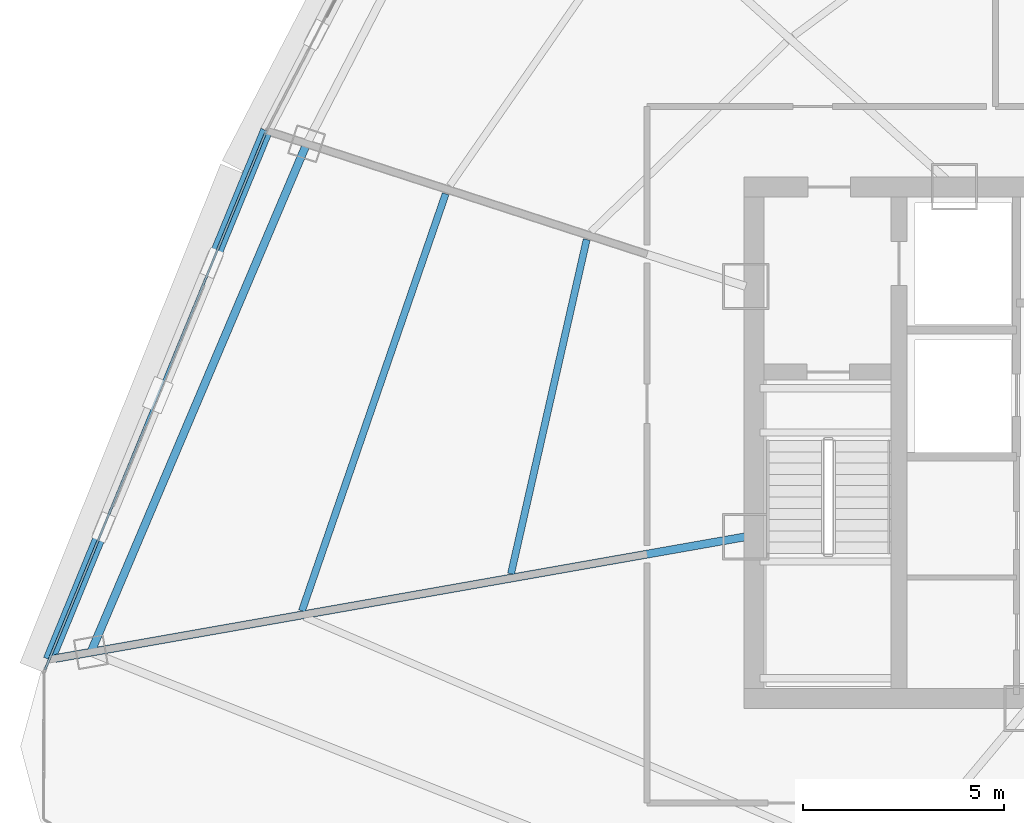
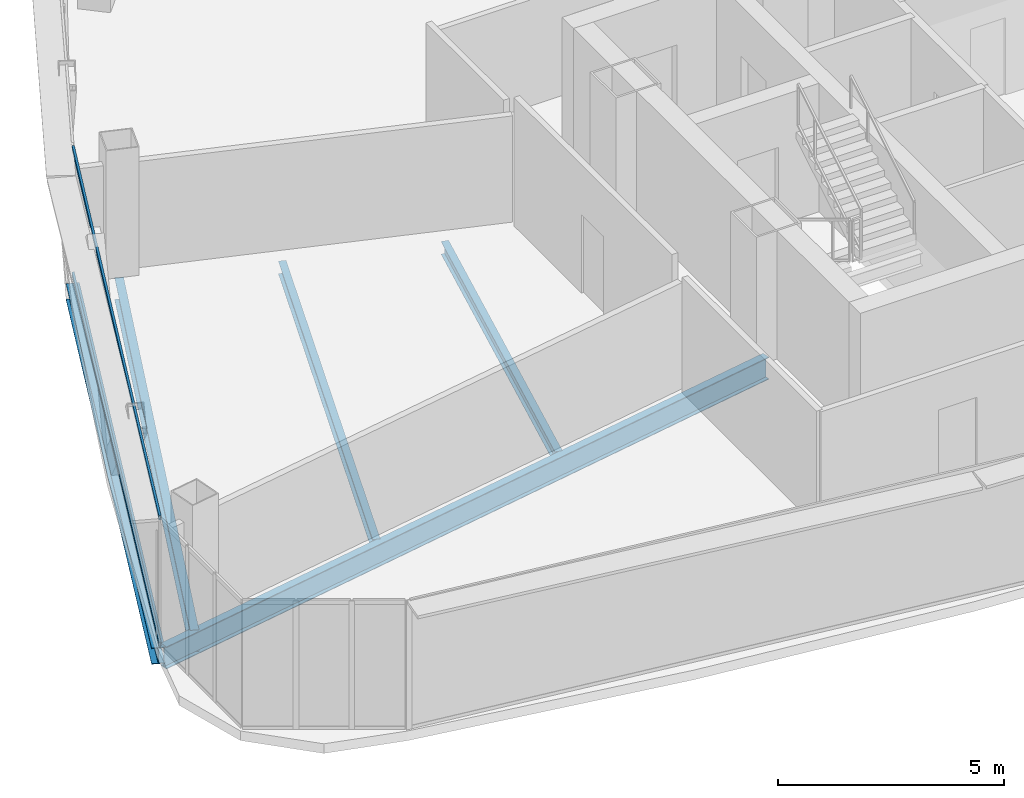
# One storey, part 5 of 33: 5 beams, 2 members, 1 element without a shape of its own.
"""IFC4 building model written with IfcOpenShell, lengths in metres."""

from ifc_helpers import new_model, si_unit, direction, frame, origin, origin_2d, place, context, subcontext, project, spatial, hollow_rectangle, i_section, extrude, source, transform, mapped, material, layer, layer_set, material_profile, profile_set, type_object, element, aggregate, save


model = new_model("IFC4")

# Units and contexts
model_context = context("Model", 3, precision=1e-05, world=origin(), true_north=direction((0.0, 1.0)))
body_context = subcontext(model_context, "Body", "Model", "MODEL_VIEW")
ifc_project = project(units=[si_unit("LENGTHUNIT", "METRE"), si_unit("AREAUNIT", "SQUARE_METRE"), si_unit("VOLUMEUNIT", "CUBIC_METRE"), si_unit("PLANEANGLEUNIT", "RADIAN"), si_unit("MASSUNIT", "GRAM", prefix="KILO"), si_unit("THERMODYNAMICTEMPERATUREUNIT", "KELVIN"), si_unit("POWERUNIT", "WATT")], contexts=[model_context])

# Site, building, storey
site_placement = place(None, origin())
site = spatial("IfcSite", under=ifc_project, at=site_placement, CompositionType="ELEMENT")
building_placement = place(site_placement, origin())
building = spatial("IfcBuilding", under=site, at=building_placement, Name="Yunzhuo Pagoda Commons", CompositionType="ELEMENT")
storey_placement = place(building_placement, frame((0.0, 0.0, 311.1298828125)))
storey = spatial("IfcBuildingStorey", under=building, at=storey_placement, Name="L78", CompositionType="ELEMENT", Elevation=311.1298828125)

# Beams
ifc_material_1 = material(Name="Structural steel Q355B", Category="steel")
ifc_material_profile_1 = material_profile(ifc_material_1, i_section(OverallWidth=0.199951171875, OverallDepth=0.60009765625, WebThickness=0.010986328125, FlangeThickness=0.01708984375, at=origin_2d()), Name="Structural steel Q355B")
ifc_profile_set_1 = profile_set([ifc_material_profile_1], Name="Structural steel Q355B")
beam_type_1 = type_object("IfcBeamType", Name="B-RG3 Beam HN 600x200x11x17", PredefinedType="BEAM", material=ifc_profile_set_1)
shared_shape_1 = source(origin(), body_context, "Body", "SweptSolid", [
    extrude(i_section(OverallWidth=0.199951171875, OverallDepth=0.60009765625, WebThickness=0.010986328125, FlangeThickness=0.01708984375, at=origin_2d()), origin(), (0.0, 0.0, 1.0), 13.715576171875),
])
beam_1_placement = place(storey_placement, frame((24.697509765625, 41.271484375, -0.559814453125), z_axis=(-0.390733146992, -0.920503996646, 0.0), x_axis=(0.920503996646, -0.390733146992, 0.0)))
element("IfcBeam", 1, at=beam_1_placement, inside=storey, type_object=beam_type_1, Name="L78 column-ring beam 11", PredefinedType="BEAM", context=body_context, shape_type="MappedRepresentation", body=[
    mapped(shared_shape_1, transform((0.0, 0.0, 0.0), scale=1.0)),
])
ifc_material_profile_2 = material_profile(ifc_material_1, i_section(OverallWidth=0.175048828125, OverallDepth=0.35009765625, WebThickness=0.007080078125, FlangeThickness=0.010986328125, at=origin_2d()), Name="Structural steel Q355B")
ifc_profile_set_2 = profile_set([ifc_material_profile_2], Name="Structural steel Q355B")
beam_type_2 = type_object("IfcBeamType", Name="B-JS2 Joist HN 350x175x7x11", PredefinedType="JOIST", material=ifc_profile_set_2)
shared_shape_2 = source(origin(), body_context, "Body", "SweptSolid", [
    extrude(i_section(OverallWidth=0.175048828125, OverallDepth=0.35009765625, WebThickness=0.007080078125, FlangeThickness=0.010986328125, at=origin_2d()), origin(), (0.0, 0.0, 1.0), 8.508544921875),
])
beam_2_placement = place(storey_placement, frame((31.649658203125, 38.89208984375, -0.434814453125), z_axis=(-0.220769003385, -0.975326123481, 0.0), x_axis=(0.975326123481, -0.220769003385, 0.0)))
element("IfcBeam", 2, at=beam_2_placement, inside=storey, type_object=beam_type_2, Name="L78 composite ring joist 1.11", PredefinedType="JOIST", context=body_context, shape_type="MappedRepresentation", body=[
    mapped(shared_shape_2, transform((0.0, 0.0, 0.0), scale=1.0)),
])
shared_shape_3 = source(origin(), body_context, "Body", "SweptSolid", [
    extrude(i_section(OverallWidth=0.175048828125, OverallDepth=0.35009765625, WebThickness=0.007080078125, FlangeThickness=0.010986328125, at=origin_2d()), origin(), (0.0, 0.0, 1.0), 10.954345703125),
])
beam_3_placement = place(storey_placement, frame((28.14892578125, 40.029052734375, -0.434814453125), z_axis=(-0.325839571137, -0.945425075763, 0.0), x_axis=(0.945425075763, -0.325839571137, 0.0)))
element("IfcBeam", 3, at=beam_3_placement, inside=storey, type_object=beam_type_2, Name="L78 composite ring joist 2.11", PredefinedType="JOIST", context=body_context, shape_type="MappedRepresentation", body=[
    mapped(shared_shape_3, transform((0.0, 0.0, 0.0), scale=1.0)),
])
shared_shape_4 = source(origin(), body_context, "Body", "SweptSolid", [
    extrude(i_section(OverallWidth=0.199951171875, OverallDepth=0.60009765625, WebThickness=0.010986328125, FlangeThickness=0.01708984375, at=origin_2d()), origin(), (0.0, 0.0, 1.0), 17.40771484375),
])
beam_4_placement = place(storey_placement, frame((18.456787109375, 28.49072265625, -0.559814453125), z_axis=(0.984808962394, 0.17364131878, 0.0), x_axis=(-0.17364131878, 0.984808962394, 0.0)))
element("IfcBeam", 4, at=beam_4_placement, inside=storey, type_object=beam_type_1, Name="L78 radial floor girder F3C4", PredefinedType="BEAM", context=body_context, shape_type="MappedRepresentation", body=[
    mapped(shared_shape_4, transform((0.0, 0.0, 0.0), scale=1.0)),
])
ifc_material_profile_3 = material_profile(ifc_material_1, i_section(OverallWidth=0.300048828125, OverallDepth=0.43994140625, WebThickness=0.010986328125, FlangeThickness=0.01806640625, at=origin_2d()), Name="Structural steel Q355B")
ifc_profile_set_3 = profile_set([ifc_material_profile_3], Name="Structural steel Q355B")
beam_type_3 = type_object("IfcBeamType", Name="B-SP2 Beam HM 440x300x11x18", PredefinedType="BEAM", material=ifc_profile_set_3)
shared_shape_5 = source(origin(), body_context, "Body", "SweptSolid", [
    extrude(i_section(OverallWidth=0.300048828125, OverallDepth=0.43994140625, WebThickness=0.010986328125, FlangeThickness=0.01806640625, at=origin_2d()), origin(), (0.0, 0.0, 1.0), 14.197021484375),
])
beam_5_placement = place(storey_placement, frame((23.698974609375, 41.595947265625, -0.47998046875), z_axis=(-0.379993738973, -0.924989058498, 0.0), x_axis=(0.924989058498, -0.379993738973, 0.0)))
element("IfcBeam", 5, at=beam_5_placement, inside=storey, type_object=beam_type_3, Name="L78 facade edge spandrel beam F3.3", PredefinedType="BEAM", context=body_context, shape_type="MappedRepresentation", body=[
    mapped(shared_shape_5, transform((0.0, 0.0, 0.0), scale=1.0)),
])

# Curtain wall, members
ifc_material_2 = material(Name="Anodized aluminium 6063-T6", Category="aluminium")
ifc_layer = layer(ifc_material_2, 0.139892578125)
ifc_layer_set = layer_set([ifc_layer], Name="Anodized aluminium 6063-T6")
curtain_wall_type = type_object("IfcCurtainWallType", Name="CW-HI High-Zone Ribbon Curtain Wall", PredefinedType="NOTDEFINED", material=ifc_layer_set)
curtain_wall_placement = place(storey_placement, origin())
curtain_wall = element("IfcCurtainWall", 6, at=curtain_wall_placement, inside=storey, type_object=curtain_wall_type, Name="L78 curtain wall CW-L78-F3B4", PredefinedType="NOTDEFINED")
ifc_material_profile_4 = material_profile(ifc_material_2, hollow_rectangle(XDim=0.054931640625, YDim=0.1201171875, WallThickness=0.00341796875, at=origin_2d()), Name="Anodized aluminium 6063-T6")
ifc_profile_set_4 = profile_set([ifc_material_profile_4], Name="Anodized aluminium 6063-T6")
member_type = type_object("IfcMemberType", Name="CW-HI-T Transom RHS 120x55x3.5", PredefinedType="USERDEFINED", material=ifc_profile_set_4)
shared_shape_6 = source(origin(), body_context, "Body", "SweptSolid", [
    extrude(hollow_rectangle(XDim=0.054931640625, YDim=0.1201171875, WallThickness=0.00341796875, at=origin_2d()), origin(), (0.0, 0.0, 1.0), 14.413818359375),
])
member_1_placement = place(storey_placement, frame((23.676513671875, 41.540283203125, 0.027587890625), z_axis=(-0.380053688026, -0.924964428623, 0.0), x_axis=(0.924964428623, -0.380053688026, 0.0)))
member_1 = element("IfcMember", 7, at=member_1_placement, type_object=member_type, Name="CW transom 1.1", ObjectType="TRANSOM", PredefinedType="USERDEFINED", context=body_context, shape_type="MappedRepresentation", body=[
    mapped(shared_shape_6, transform((0.0, 0.0, 0.0), scale=1.0)),
])
member_2_placement = place(storey_placement, frame((23.676513671875, 41.540283203125, 3.442626953125), z_axis=(-0.380053688026, -0.924964428623, 0.0), x_axis=(0.924964428623, -0.380053688026, 0.0)))
member_2 = element("IfcMember", 8, at=member_2_placement, type_object=member_type, Name="CW transom 1.2", ObjectType="TRANSOM", PredefinedType="USERDEFINED", context=body_context, shape_type="MappedRepresentation", body=[
    mapped(shared_shape_6, transform((0.0, 0.0, 0.0), scale=1.0)),
])
aggregate(curtain_wall, [member_1, member_2])

save(model, "model.ifc")
